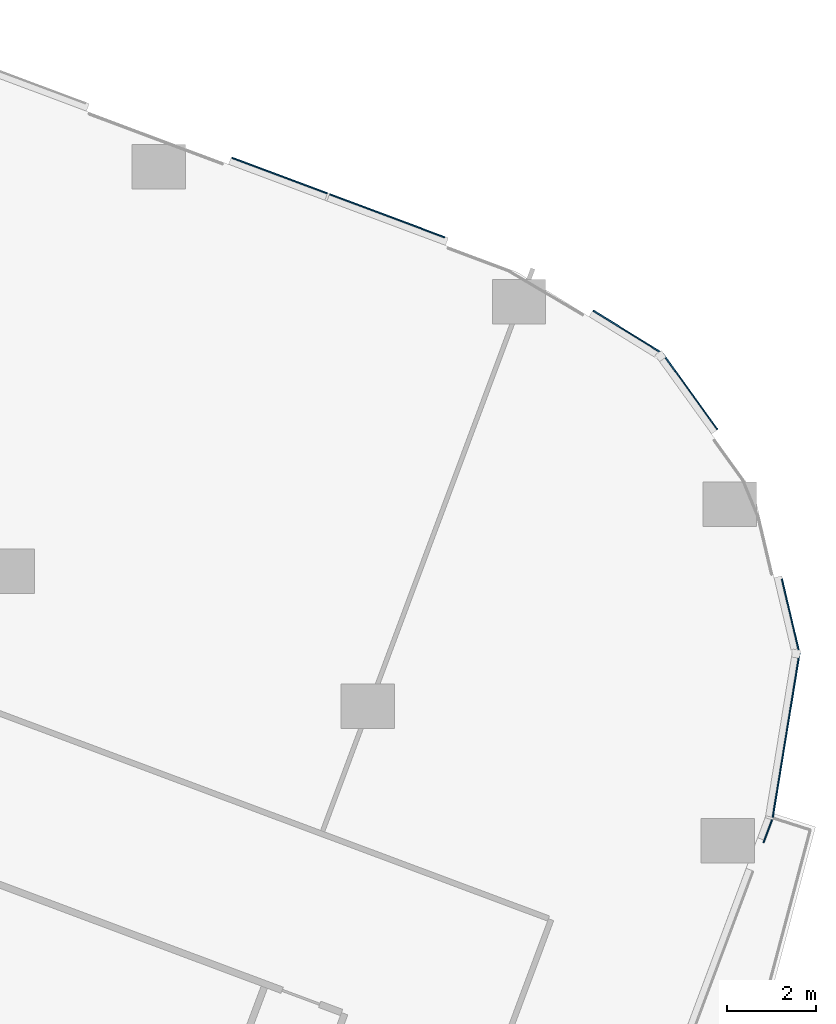
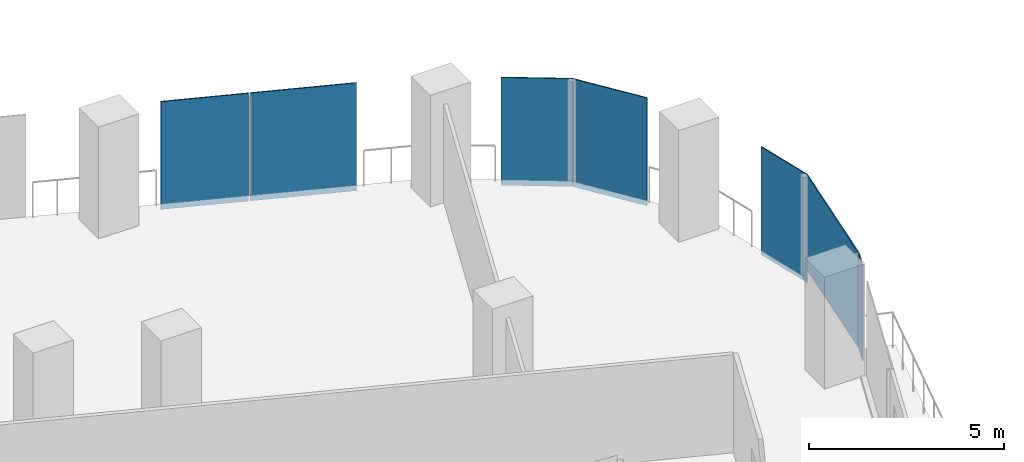
# One storey, part 19 of 30: 7 plates, 6 elements without a shape of their own.
"""IFC4 building model written with IfcOpenShell, lengths in metres."""

import ifcopenshell
import ifcopenshell.guid

model = None  # the IFC model being written
_history = None  # IfcOwnerHistory: only IFC2X3 demands one
_inside = {}  # id of a spatial element -> (the spatial element, [elements in it])
_under = {}  # id of a project, library or spatial element -> (it, [spatial elements below it])
_declared = {}  # id of a project -> (the project, [libraries it declares])
_typed = {}  # id of a type object -> (the type object, [elements of that type])
_made_of = {}  # id of a material, layer set ... -> (it, [elements and type objects made of it])


def new_model(schema):
    """Start an empty IFC model of exactly this schema.

    Asked for "IFC4X3", IfcOpenShell would pick the latest addendum, in which some entities
    have other attributes; the version numbers below select the first issue.
    IFC2X3 requires an IfcOwnerHistory on every rooted entity: one is made here for all.
    """
    global model, _history
    if schema == "IFC4X3":
        model = ifcopenshell.file(schema_version=(4, 3, 0, 0))
    else:
        model = ifcopenshell.file(schema=schema)
    _inside.clear()
    _under.clear()
    _declared.clear()
    _typed.clear()
    _made_of.clear()
    _history = None
    if model.schema == "IFC2X3":
        org = make("IfcOrganization", Name="unknown")
        user = make(
            "IfcPersonAndOrganization",
            ThePerson=make("IfcPerson", FamilyName="unknown"),
            TheOrganization=org,
        )
        app = make(
            "IfcApplication",
            ApplicationDeveloper=org,
            Version="unknown",
            ApplicationFullName="unknown",
            ApplicationIdentifier="unknown",
        )
        _history = make(
            "IfcOwnerHistory",
            OwningUser=user,
            OwningApplication=app,
            ChangeAction="ADDED",
            CreationDate=0,
        )
    return model


def make(cls, **values):
    """One entity of the class cls with the attributes given. An attribute that is None is left unset."""
    return model.create_entity(
        cls, **{name: value for name, value in values.items() if value is not None}
    )


def rooted(cls, **values):
    """An entity with a GlobalId (a new one), such as an element, a storey or a relation."""
    return make(cls, GlobalId=ifcopenshell.guid.new(), OwnerHistory=_history, **values)


def si_unit(unit_type, name, prefix=None):
    """IfcSIUnit, for example si_unit("LENGTHUNIT", "METRE", prefix="MILLI")."""
    return make("IfcSIUnit", UnitType=unit_type, Prefix=prefix, Name=name)


def assignment(units):
    """IfcUnitAssignment: the units of a project."""
    return None if units is None else make("IfcUnitAssignment", Units=units)


def point(xyz):
    """IfcCartesianPoint."""
    return None if xyz is None else make("IfcCartesianPoint", Coordinates=xyz)


def direction(xyz):
    """IfcDirection."""
    return None if xyz is None else make("IfcDirection", DirectionRatios=xyz)


def frame(location, z_axis=None, x_axis=None):
    """IfcAxis2Placement3D, a coordinate frame: its origin and axes. An axis left out is left unset."""
    return make(
        "IfcAxis2Placement3D",
        Location=point(location),
        Axis=direction(z_axis),
        RefDirection=direction(x_axis),
    )


def frame_2d(location, x_axis=None):
    """IfcAxis2Placement2D, a coordinate frame in the plane: its origin and x axis."""
    return make(
        "IfcAxis2Placement2D", Location=point(location), RefDirection=direction(x_axis)
    )


def origin():
    """The frame at (0, 0, 0) with its axes left unset."""
    return frame((0.0, 0.0, 0.0))


def origin_2d():
    """The frame at (0, 0) in the plane with its x axis left unset."""
    return frame_2d((0.0, 0.0))


def place(relative_to, where):
    """IfcLocalPlacement: puts the frame where relative to a parent placement (None: the world)."""
    return make(
        "IfcLocalPlacement", PlacementRelTo=relative_to, RelativePlacement=where
    )


def context(
    kind, dimensions, precision=None, world=None, true_north=None, identifier=None
):
    """IfcGeometricRepresentationContext, for example the 3D "Model" context."""
    return make(
        "IfcGeometricRepresentationContext",
        ContextIdentifier=identifier,
        ContextType=kind,
        CoordinateSpaceDimension=dimensions,
        Precision=precision,
        WorldCoordinateSystem=world,
        TrueNorth=true_north,
    )


def subcontext(parent, identifier, kind, view, scale=None):
    """IfcGeometricRepresentationSubContext, for example "Body" below "Model"."""
    return make(
        "IfcGeometricRepresentationSubContext",
        ContextIdentifier=identifier,
        ContextType=kind,
        ParentContext=parent,
        TargetScale=scale,
        TargetView=view,
    )


def project(units=None, contexts=None):
    """IfcProject with its units and contexts."""
    return rooted(
        "IfcProject",
        Name="project",
        RepresentationContexts=contexts,
        UnitsInContext=assignment(units),
    )


def spatial(cls, under=None, at=None, **own):
    """A site, building, storey or space (cls), placed at a placement, below another one or the project."""
    s = rooted(cls, ObjectPlacement=at, **own)
    if under is not None:
        _under.setdefault(under.id(), (under, []))[1].append(s)
    return s


def profile(cls, at=None, kind="AREA", **sizes):
    """A parametric profile (cls). Its sizes go by their IFC names, for example OverallWidth=200.0."""
    return make(cls, ProfileType=kind, Position=at, **sizes)


def rectangle(**sizes):
    """IfcRectangleProfileDef."""
    return profile("IfcRectangleProfileDef", **sizes)


def extrude(swept, where, along, depth):
    """IfcExtrudedAreaSolid: the profile swept, set in the frame where, extruded along a direction by depth."""
    return make(
        "IfcExtrudedAreaSolid",
        SweptArea=swept,
        Position=where,
        ExtrudedDirection=direction(along),
        Depth=depth,
    )


def shape(context_of_items, identifier, shape_type, items):
    """IfcShapeRepresentation: the items that make up one representation, for example the "Body"."""
    return make(
        "IfcShapeRepresentation",
        ContextOfItems=context_of_items,
        RepresentationIdentifier=identifier,
        RepresentationType=shape_type,
        Items=items,
    )


def material(Name=None, Category=None):
    """IfcMaterial."""
    return make("IfcMaterial", Name=Name, Category=Category)


def layer(
    of_material, thickness, ventilated=None, Name=None, Category=None, Priority=None
):
    """IfcMaterialLayer: one layer of a wall or slab, of a material (None: an air gap)."""
    return make(
        "IfcMaterialLayer",
        Material=of_material,
        LayerThickness=thickness,
        IsVentilated=ventilated,
        Name=Name,
        Category=Category,
        Priority=Priority,
    )


def layer_set(layers, Name=None):
    """IfcMaterialLayerSet."""
    return make("IfcMaterialLayerSet", MaterialLayers=layers, LayerSetName=Name)


def made_of(thing, what):
    """Note that an element or type object is made of a material, layer set ...; save() writes the relation."""
    if what is not None:
        _made_of.setdefault(what.id(), (what, []))[1].append(thing)
    return thing


def type_object(cls, material=None, **own):
    """A type object (cls), such as IfcWallType, which elements share."""
    return made_of(rooted(cls, **own), material)


def element(
    cls,
    number,
    at=None,
    inside=None,
    cuts=None,
    type_object=None,
    material=None,
    context=None,
    identifier="Body",
    shape_type=None,
    held_by="IfcProductDefinitionShape",
    body=None,
    shapes=None,
    **own,
):
    """One element of the class cls, such as IfcWall. Its Tag is "e" and its number.

    at: its placement. inside: the storey or other place that contains it. cuts: it is an
    opening in that element (IfcRelVoidsElement). A single representation is given by context,
    identifier, shape_type and body (its items); several are given by shapes. held_by: the class
    of the entity that holds the representations. save() writes the other relations.
    """
    e = rooted(cls, Tag="e%d" % number, ObjectPlacement=at, **own)
    if body is not None:
        shapes = [shape(context, identifier, shape_type, body)]
    if shapes is not None:
        e.Representation = make(held_by, Representations=shapes)
    if inside is not None:
        _inside.setdefault(inside.id(), (inside, []))[1].append(e)
    if cuts is not None:
        rooted(
            "IfcRelVoidsElement", RelatingBuildingElement=cuts, RelatedOpeningElement=e
        )
    if type_object is not None:
        _typed.setdefault(type_object.id(), (type_object, []))[1].append(e)
    return made_of(e, material)


def aggregate(whole, parts):
    """IfcRelAggregates: a whole, such as a stair, and the parts it consists of."""
    return rooted("IfcRelAggregates", RelatingObject=whole, RelatedObjects=parts)


def save(model, path):
    """Write the relations noted so far, then the file.

    IfcRelAggregates (storeys below a building ...), IfcRelContainedInSpatialStructure (elements
    in a storey), IfcRelDefinesByType, IfcRelAssociatesMaterial and IfcRelDeclares: one each for
    every whole, place, type object, material and project.
    """
    for whole, parts in _under.values():
        aggregate(whole, parts)
    for where, things in _inside.values():
        rooted(
            "IfcRelContainedInSpatialStructure",
            RelatedElements=things,
            RelatingStructure=where,
        )
    for kind, things in _typed.values():
        rooted("IfcRelDefinesByType", RelatedObjects=things, RelatingType=kind)
    for what, things in _made_of.values():
        rooted("IfcRelAssociatesMaterial", RelatedObjects=things, RelatingMaterial=what)
    for by, libraries in _declared.values():
        rooted("IfcRelDeclares", RelatingContext=by, RelatedDefinitions=libraries)
    model.write(path)


model = new_model("IFC4")

# Units and contexts
model_context = context("Model", 3, precision=1e-05, world=origin(), true_north=direction((0.0, 1.0)))
body_context = subcontext(model_context, "Body", "Model", "MODEL_VIEW")
ifc_project = project(units=[si_unit("LENGTHUNIT", "METRE"), si_unit("AREAUNIT", "SQUARE_METRE"), si_unit("VOLUMEUNIT", "CUBIC_METRE"), si_unit("PLANEANGLEUNIT", "RADIAN"), si_unit("MASSUNIT", "GRAM", prefix="KILO")], contexts=[model_context])

# Site, building, storey
site_placement = place(None, origin())
site = spatial("IfcSite", under=ifc_project, at=site_placement, CompositionType="ELEMENT")
building_placement = place(site_placement, origin())
building = spatial("IfcBuilding", under=site, at=building_placement, Name="Orlundy Tower", CompositionType="ELEMENT")
storey_placement = place(building_placement, frame((0.0, 0.0, 80.699951171875)))
storey = spatial("IfcBuildingStorey", under=building, at=storey_placement, Name="L19", CompositionType="ELEMENT", Elevation=80.699951171875)

# Curtain wall, plates
ifc_material_1 = material(Name="Aluminium bronze anodised", Category="aluminium")
curtain_wall_type = type_object("IfcCurtainWallType", Name="CW1 wall", PredefinedType="NOTDEFINED", material=ifc_material_1)
curtain_wall_1_placement = place(storey_placement, origin())
curtain_wall_1 = element("IfcCurtainWall", 1, at=curtain_wall_1_placement, inside=storey, type_object=curtain_wall_type, Name="CW1 run 06", PredefinedType="NOTDEFINED")
ifc_material_2 = material(Name="Tinted glass", Category="glass")
ifc_layer = layer(ifc_material_2, 0.031982421875)
ifc_layer_set = layer_set([ifc_layer], Name="CW1 glass panel 32")
plate_type = type_object("IfcPlateType", Name="CW1 glass panel 32", PredefinedType="CURTAIN_PANEL", material=ifc_layer_set)
plate_1_placement = place(storey_placement, frame((48.504638671875, 3.39208984375, -0.27978515625), z_axis=(0.0, 0.0, 1.0), x_axis=(0.93667352363, -0.350203812273, 0.0)))
plate_1 = element("IfcPlate", 2, at=plate_1_placement, type_object=plate_type, Name="CW1 panel", PredefinedType="CURTAIN_PANEL", context=body_context, shape_type="SweptSolid", body=[
    extrude(rectangle(XDim=2.28271484375, YDim=0.031982421875, at=origin_2d()), origin(), (0.0, 0.0, 1.0), 3.3798828125),
])
plate_2_placement = place(storey_placement, frame((50.9140625, 2.4912109375, -0.27978515625), z_axis=(0.0, 0.0, 1.0), x_axis=(0.93667352363, -0.350203812273, 0.0)))
plate_2 = element("IfcPlate", 3, at=plate_2_placement, type_object=plate_type, Name="CW1 panel", PredefinedType="CURTAIN_PANEL", context=body_context, shape_type="SweptSolid", body=[
    extrude(rectangle(XDim=2.76171875, YDim=0.031982421875, at=origin_2d()), origin(), (0.0, 0.0, 1.0), 3.3798828125),
])
aggregate(curtain_wall_1, [plate_1, plate_2])

# Curtain wall, plate
curtain_wall_2_placement = place(storey_placement, origin())
curtain_wall_2 = element("IfcCurtainWall", 4, at=curtain_wall_2_placement, inside=storey, type_object=curtain_wall_type, Name="CW1 run 07", PredefinedType="NOTDEFINED")
plate_3_placement = place(storey_placement, frame((56.32421875, -0.122314453125, -0.27978515625), z_axis=(0.0, 0.0, 1.0), x_axis=(0.850414609011, -0.526113098849, 0.0)))
plate_3 = element("IfcPlate", 5, at=plate_3_placement, type_object=plate_type, Name="CW1 panel", PredefinedType="CURTAIN_PANEL", context=body_context, shape_type="SweptSolid", body=[
    extrude(rectangle(XDim=1.833984375, YDim=0.031982421875, at=origin_2d()), origin(), (0.0, 0.0, 1.0), 3.3798828125),
])
aggregate(curtain_wall_2, [plate_3])

curtain_wall_3_placement = place(storey_placement, origin())
curtain_wall_3 = element("IfcCurtainWall", 6, at=curtain_wall_3_placement, inside=storey, type_object=curtain_wall_type, Name="CW1 run 08", PredefinedType="NOTDEFINED")
plate_4_placement = place(storey_placement, frame((57.716064453125, -1.455322265625, -0.27978515625), z_axis=(0.0, 0.0, 1.0), x_axis=(0.584041752233, -0.811723617772, 0.0)))
plate_4 = element("IfcPlate", 7, at=plate_4_placement, type_object=plate_type, Name="CW1 panel", PredefinedType="CURTAIN_PANEL", context=body_context, shape_type="SweptSolid", body=[
    extrude(rectangle(XDim=2.095947265625, YDim=0.031982421875, at=origin_2d()), origin(), (0.0, 0.0, 1.0), 3.3798828125),
])
aggregate(curtain_wall_3, [plate_4])

curtain_wall_4_placement = place(storey_placement, origin())
curtain_wall_4 = element("IfcCurtainWall", 8, at=curtain_wall_4_placement, inside=storey, type_object=curtain_wall_type, Name="CW1 run 09", PredefinedType="NOTDEFINED")
plate_5_placement = place(storey_placement, frame((59.974853515625, -6.5009765625, -0.27978515625), z_axis=(0.0, 0.0, 1.0), x_axis=(0.229309985845, -0.97335344577, 0.0)))
plate_5 = element("IfcPlate", 9, at=plate_5_placement, type_object=plate_type, Name="CW1 panel", PredefinedType="CURTAIN_PANEL", context=body_context, shape_type="SweptSolid", body=[
    extrude(rectangle(XDim=1.719970703125, YDim=0.031982421875, at=origin_2d()), origin(), (0.0, 0.0, 1.0), 3.3798828125),
])
aggregate(curtain_wall_4, [plate_5])

curtain_wall_5_placement = place(storey_placement, origin())
curtain_wall_5 = element("IfcCurtainWall", 10, at=curtain_wall_5_placement, inside=storey, type_object=curtain_wall_type, Name="CW1 run 010", PredefinedType="NOTDEFINED")
plate_6_placement = place(storey_placement, frame((59.872314453125, -9.178955078125, 0.1201171875), z_axis=(0.0, 0.0, 1.0), x_axis=(-0.160810081906, -0.986985368462, 0.0)))
plate_6 = element("IfcPlate", 11, at=plate_6_placement, type_object=plate_type, Name="CW1 panel", PredefinedType="CURTAIN_PANEL", context=body_context, shape_type="SweptSolid", body=[
    extrude(rectangle(XDim=3.72998046875, YDim=0.031982421875, at=origin_2d()), origin(), (0.0, 0.0, 1.0), 2.97998046875),
])
aggregate(curtain_wall_5, [plate_6])

curtain_wall_6_placement = place(storey_placement, origin())
curtain_wall_6 = element("IfcCurtainWall", 12, at=curtain_wall_6_placement, inside=storey, type_object=curtain_wall_type, Name="CW1 run 011", PredefinedType="NOTDEFINED")
plate_7_placement = place(storey_placement, frame((59.463134765625, -11.3251953125, 0.1201171875), z_axis=(0.0, 0.0, 1.0), x_axis=(-0.350194360916, -0.936677057252, 0.0)))
plate_7 = element("IfcPlate", 13, at=plate_7_placement, type_object=plate_type, Name="CW1 panel", PredefinedType="CURTAIN_PANEL", context=body_context, shape_type="SweptSolid", body=[
    extrude(rectangle(XDim=0.549560546875, YDim=0.031982421875, at=origin_2d()), origin(), (0.0, 0.0, 1.0), 2.97998046875),
])
aggregate(curtain_wall_6, [plate_7])

save(model, "model.ifc")
